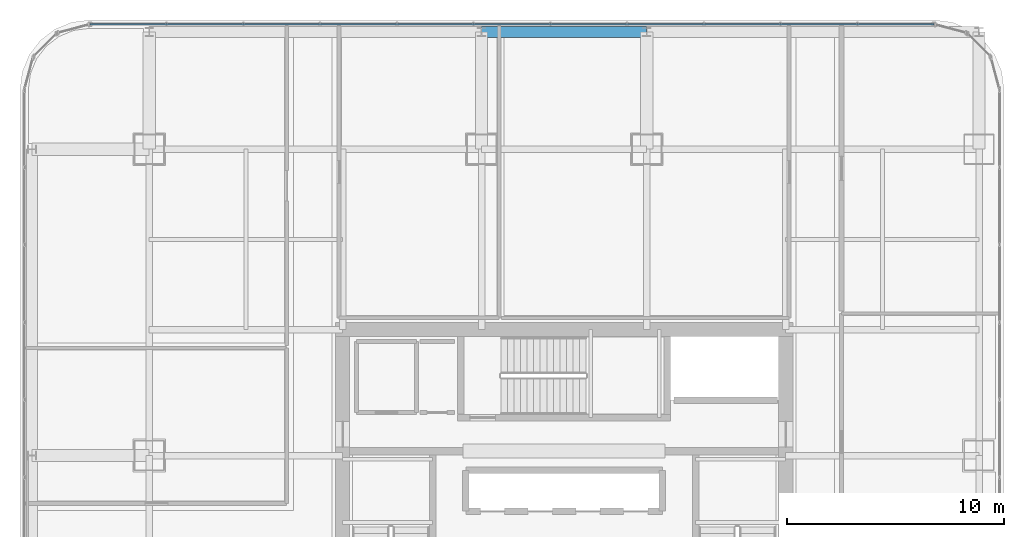
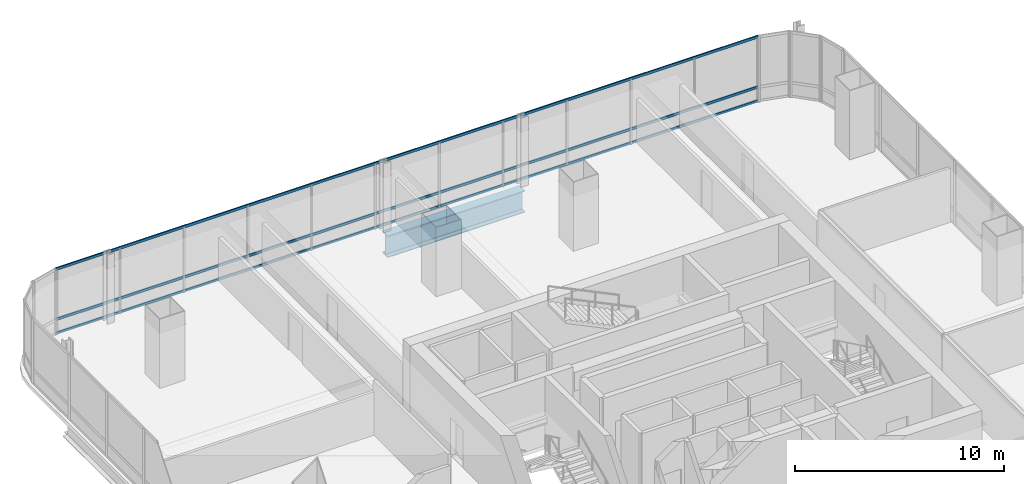
# One storey, part 24 of 38: 3 members, 1 beam, 1 element without a shape of its own.
"""IFC4 building model written with IfcOpenShell, lengths in metres."""

from ifc_helpers import new_model, si_unit, direction, frame, origin, origin_2d, place, context, subcontext, project, spatial, hollow_rectangle, i_section, extrude, material, material_profile, profile_set, type_object, element, aggregate, save


model = new_model("IFC4")

# Units and contexts
model_context = context("Model", 3, precision=1e-05, world=origin(), true_north=direction((0.0, 1.0)))
body_context = subcontext(model_context, "Body", "Model", "MODEL_VIEW")
ifc_project = project(units=[si_unit("LENGTHUNIT", "METRE"), si_unit("AREAUNIT", "SQUARE_METRE"), si_unit("VOLUMEUNIT", "CUBIC_METRE"), si_unit("PLANEANGLEUNIT", "RADIAN"), si_unit("MASSUNIT", "GRAM", prefix="KILO")], contexts=[model_context])

# Site, building, storey
site_placement = place(None, origin())
site = spatial("IfcSite", under=ifc_project, at=site_placement, CompositionType="ELEMENT")
building_placement = place(site_placement, origin())
building = spatial("IfcBuilding", under=site, at=building_placement, Name="Punatoya Terracotta Tower", CompositionType="ELEMENT")
storey_placement = place(building_placement, frame((0.0, 0.0, 147.89990234375)))
storey = spatial("IfcBuildingStorey", under=building, at=storey_placement, Name="L34", CompositionType="ELEMENT", Elevation=147.89990234375)

# Beam
ifc_material_1 = material(Name="Steel S460", Category="steel")
ifc_material_profile_1 = material_profile(ifc_material_1, i_section(OverallWidth=0.52001953125, OverallDepth=1.280029296875, WebThickness=0.031982421875, FlangeThickness=0.050048828125, FilletRadius=0.01806640625, at=origin_2d()))
ifc_profile_set_1 = profile_set([ifc_material_profile_1], Name="Steel S460")
beam_type = type_object("IfcBeamType", Name="BM-TG-NCK", PredefinedType="BEAM", material=ifc_profile_set_1)
beam_placement = place(storey_placement, frame((-3.800048828125, 22.89990234375, -0.85986328125), z_axis=(1.0, 0.0, 0.0), x_axis=(0.0, 1.0, 0.0)))
element("IfcBeam", 1, at=beam_placement, inside=storey, type_object=beam_type, Name="BM-L34-PER-N2", PredefinedType="BEAM", context=body_context, shape_type="SweptSolid", body=[
    extrude(i_section(OverallWidth=0.52001953125, OverallDepth=1.280029296875, WebThickness=0.031982421875, FlangeThickness=0.050048828125, FilletRadius=0.01806640625, at=origin_2d()), origin(), (0.0, 0.0, 1.0), 7.60009765625),
])

# Curtain wall, members
ifc_material_2 = material(Name="Aluminium 6063-T6 + Double Low-E Glass", Category="aluminium")
curtain_wall_type = type_object("IfcCurtainWallType", Name="CW-M2", PredefinedType="NOTDEFINED", material=ifc_material_2)
curtain_wall_placement = place(storey_placement, origin())
curtain_wall = element("IfcCurtainWall", 2, at=curtain_wall_placement, inside=storey, type_object=curtain_wall_type, Name="L34 Curtain Wall CW-L34-N09-1", PredefinedType="NOTDEFINED")
ifc_material_3 = material(Name="Aluminium 6063-T6", Category="aluminium")
ifc_material_profile_2 = material_profile(ifc_material_3, hollow_rectangle(XDim=0.068115234375, YDim=0.14990234375, WallThickness=0.00390625, at=origin_2d()))
ifc_profile_set_2 = profile_set([ifc_material_profile_2], Name="Aluminium 6063-T6")
member_type = type_object("IfcMemberType", Name="CW-TRN-TYP", PredefinedType="USERDEFINED", material=ifc_profile_set_2)
member_1_placement = place(storey_placement, frame((17.036865234375, 23.25, 0.0400390625), z_axis=(-1.0, 0.0, 0.0), x_axis=(0.0, -1.0, 0.0)))
member_1 = element("IfcMember", 3, at=member_1_placement, type_object=member_type, Name="CW-L34-N09-1 Transom 1", ObjectType="TRANSOM", PredefinedType="USERDEFINED", context=body_context, shape_type="SweptSolid", body=[
    extrude(hollow_rectangle(XDim=0.068115234375, YDim=0.14990234375, WallThickness=0.00390625, at=origin_2d()), origin(), (0.0, 0.0, 1.0), 38.873779296875),
])
member_2_placement = place(storey_placement, frame((17.036865234375, 23.25, 0.85009765625), z_axis=(-1.0, 0.0, 0.0), x_axis=(0.0, -1.0, 0.0)))
member_2 = element("IfcMember", 4, at=member_2_placement, type_object=member_type, Name="CW-L34-N09-1 Transom 2", ObjectType="TRANSOM", PredefinedType="USERDEFINED", context=body_context, shape_type="SweptSolid", body=[
    extrude(hollow_rectangle(XDim=0.068115234375, YDim=0.14990234375, WallThickness=0.00390625, at=origin_2d()), origin(), (0.0, 0.0, 1.0), 38.873779296875),
])
member_3_placement = place(storey_placement, frame((17.036865234375, 23.25, 3.7900390625), z_axis=(-1.0, 0.0, 0.0), x_axis=(0.0, -1.0, 0.0)))
member_3 = element("IfcMember", 5, at=member_3_placement, type_object=member_type, Name="CW-L34-N09-1 Transom 3", ObjectType="TRANSOM", PredefinedType="USERDEFINED", context=body_context, shape_type="SweptSolid", body=[
    extrude(hollow_rectangle(XDim=0.068115234375, YDim=0.14990234375, WallThickness=0.00390625, at=origin_2d()), origin(), (0.0, 0.0, 1.0), 38.873779296875),
])
aggregate(curtain_wall, [member_1, member_2, member_3])

save(model, "model.ifc")
